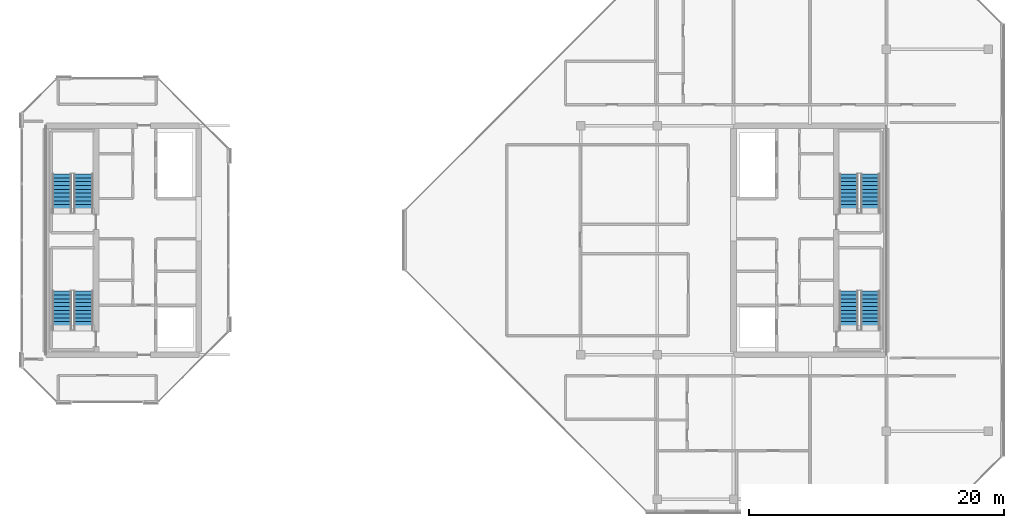
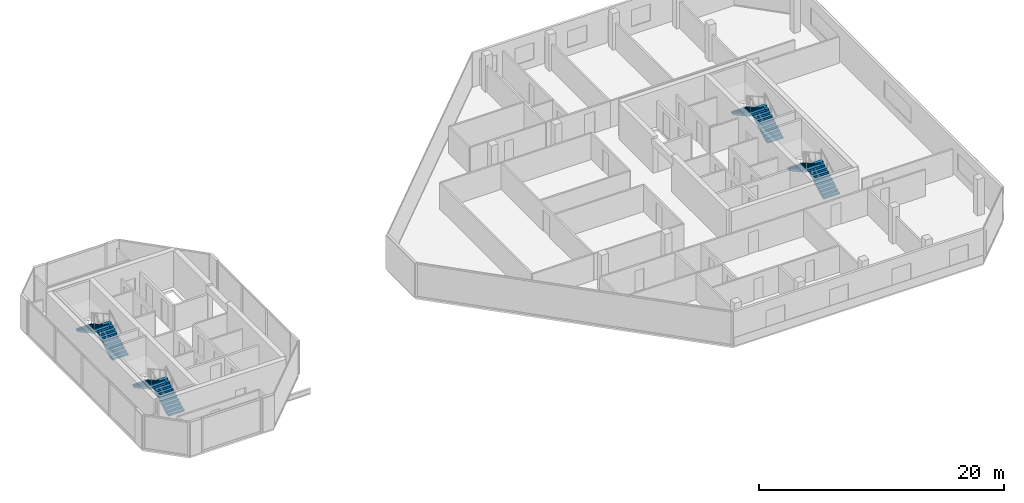
# One storey, part 25 of 28: 8 stair flights, 4 elements without a shape of their own.
"""IFC4 building model written with IfcOpenShell, lengths in metres."""

from ifc_helpers import new_model, si_unit, direction, frame, origin, place, context, subcontext, project, spatial, polyline, outline, extrude, material, type_object, element, aggregate, save


model = new_model("IFC4")

# Units and contexts
model_context = context("Model", 3, precision=1e-05, world=origin(), true_north=direction((0.0, 1.0)))
body_context = subcontext(model_context, "Body", "Model", "MODEL_VIEW")
ifc_project = project(units=[si_unit("LENGTHUNIT", "METRE"), si_unit("AREAUNIT", "SQUARE_METRE"), si_unit("VOLUMEUNIT", "CUBIC_METRE"), si_unit("PLANEANGLEUNIT", "RADIAN"), si_unit("MASSUNIT", "GRAM", prefix="KILO")], contexts=[model_context])

# Site, building, storey
site_placement = place(None, origin())
site = spatial("IfcSite", under=ifc_project, at=site_placement, CompositionType="ELEMENT")
building_placement = place(site_placement, origin())
building = spatial("IfcBuilding", under=site, at=building_placement, Name="Tanjung Sevakor Pilgrim Tower", CompositionType="ELEMENT")
storey_placement = place(building_placement, frame((0.0, 0.0, 249.81005859375)))
storey = spatial("IfcBuildingStorey", under=building, at=storey_placement, Name="L70", CompositionType="ELEMENT", Elevation=249.81005859375)

# Stair, stair flights
ifc_material_1 = material(Name="Concrete C40/50", Category="concrete")
stair_type = type_object("IfcStairType", Name="STAIR-ST-CR150", PredefinedType="HALF_TURN_STAIR", material=ifc_material_1)
stair_1_placement = place(storey_placement, origin())
stair_1 = element("IfcStair", 1, at=stair_1_placement, inside=storey, type_object=stair_type, Name="L70 West Core Exit Stair 1", PredefinedType="HALF_TURN_STAIR")
ifc_material_2 = material(Name="Concrete C40/50", Category="concrete")
stair_flight_type = type_object("IfcStairFlightType", Name="FLIGHT-ST-CR150", PredefinedType="STRAIGHT", material=ifc_material_2)
stair_flight_1_placement = place(storey_placement, frame((26.949951171875, 26.60009765625, 0.0), z_axis=(0.0, 0.0, 1.0), x_axis=(0.0, 1.0, 0.0)))
stair_flight_1 = element("IfcStairFlight", 2, at=stair_flight_1_placement, type_object=stair_flight_type, Name="TS-W1 flight 1", NumberOfRisers=11, NumberOfTreads=10, PredefinedType="STRAIGHT", RiserHeight=0.165, TreadLength=0.3, context=body_context, shape_type="SweptSolid", body=[
    extrude(outline(polyline([(0.0, 0.0), (0.0, 0.1650390625), (0.300048828125, 0.1650390625), (0.300048828125, 0.330078125), (0.60009765625, 0.330078125), (0.60009765625, 0.4951171875), (0.89990234375, 0.4951171875), (0.89990234375, 0.659912109375), (1.199951171875, 0.659912109375), (1.199951171875, 0.824951171875), (1.5, 0.824951171875), (1.5, 0.989990234375), (1.800048828125, 0.989990234375), (1.800048828125, 1.155029296875), (2.10009765625, 1.155029296875), (2.10009765625, 1.320068359375), (2.39990234375, 1.320068359375), (2.39990234375, 1.485107421875), (2.699951171875, 1.485107421875), (2.699951171875, 1.64990234375), (3.0, 1.64990234375), (3.0, 1.81494140625), (3.0, 1.467529296875), (0.331787109375, 0.0), (0.0, 0.0)])), frame((0.0, 0.75, 0.0), z_axis=(0.0, -1.0, 0.0), x_axis=(1.0, 0.0, 0.0)), (0.0, 0.0, 1.0), 1.5),
])
stair_flight_2_placement = place(storey_placement, frame((25.25, 29.60009765625, 1.81494140625), z_axis=(0.0, 0.0, 1.0), x_axis=(0.0, -1.0, 0.0)))
stair_flight_2 = element("IfcStairFlight", 3, at=stair_flight_2_placement, type_object=stair_flight_type, Name="TS-W1 flight 2", NumberOfRisers=11, NumberOfTreads=10, PredefinedType="STRAIGHT", RiserHeight=0.165, TreadLength=0.3, context=body_context, shape_type="SweptSolid", body=[
    extrude(outline(polyline([(0.0, 0.0), (0.0, 0.1650390625), (0.300048828125, 0.1650390625), (0.300048828125, 0.330078125), (0.60009765625, 0.330078125), (0.60009765625, 0.4951171875), (0.89990234375, 0.4951171875), (0.89990234375, 0.659912109375), (1.199951171875, 0.659912109375), (1.199951171875, 0.824951171875), (1.5, 0.824951171875), (1.5, 0.989990234375), (1.800048828125, 0.989990234375), (1.800048828125, 1.155029296875), (2.10009765625, 1.155029296875), (2.10009765625, 1.320068359375), (2.39990234375, 1.320068359375), (2.39990234375, 1.485107421875), (2.699951171875, 1.485107421875), (2.699951171875, 1.64990234375), (3.0, 1.64990234375), (3.0, 1.81494140625), (3.0, 1.467529296875), (0.331787109375, 0.0), (0.0, 0.0)])), frame((0.0, 0.75, 0.0), z_axis=(0.0, -1.0, 0.0), x_axis=(1.0, 0.0, 0.0)), (0.0, 0.0, 1.0), 1.5),
])
aggregate(stair_1, [stair_flight_1, stair_flight_2])

stair_2_placement = place(storey_placement, origin())
stair_2 = element("IfcStair", 4, at=stair_2_placement, inside=storey, type_object=stair_type, Name="L70 West Core Exit Stair 2", PredefinedType="HALF_TURN_STAIR")
stair_flight_3_placement = place(storey_placement, frame((26.949951171875, 35.800048828125, 0.0), z_axis=(0.0, 0.0, 1.0), x_axis=(0.0, 1.0, 0.0)))
stair_flight_3 = element("IfcStairFlight", 5, at=stair_flight_3_placement, type_object=stair_flight_type, Name="TS-W2 flight 1", NumberOfRisers=11, NumberOfTreads=10, PredefinedType="STRAIGHT", RiserHeight=0.165, TreadLength=0.3, context=body_context, shape_type="SweptSolid", body=[
    extrude(outline(polyline([(0.0, 0.0), (0.0, 0.1650390625), (0.300048828125, 0.1650390625), (0.300048828125, 0.330078125), (0.60009765625, 0.330078125), (0.60009765625, 0.4951171875), (0.89990234375, 0.4951171875), (0.89990234375, 0.659912109375), (1.199951171875, 0.659912109375), (1.199951171875, 0.824951171875), (1.5, 0.824951171875), (1.5, 0.989990234375), (1.800048828125, 0.989990234375), (1.800048828125, 1.155029296875), (2.10009765625, 1.155029296875), (2.10009765625, 1.320068359375), (2.39990234375, 1.320068359375), (2.39990234375, 1.485107421875), (2.699951171875, 1.485107421875), (2.699951171875, 1.64990234375), (3.0, 1.64990234375), (3.0, 1.81494140625), (3.0, 1.467529296875), (0.331787109375, 0.0), (0.0, 0.0)])), frame((0.0, 0.75, 0.0), z_axis=(0.0, -1.0, 0.0), x_axis=(1.0, 0.0, 0.0)), (0.0, 0.0, 1.0), 1.5),
])
stair_flight_4_placement = place(storey_placement, frame((25.25, 38.800048828125, 1.81494140625), z_axis=(0.0, 0.0, 1.0), x_axis=(0.0, -1.0, 0.0)))
stair_flight_4 = element("IfcStairFlight", 6, at=stair_flight_4_placement, type_object=stair_flight_type, Name="TS-W2 flight 2", NumberOfRisers=11, NumberOfTreads=10, PredefinedType="STRAIGHT", RiserHeight=0.165, TreadLength=0.3, context=body_context, shape_type="SweptSolid", body=[
    extrude(outline(polyline([(0.0, 0.0), (0.0, 0.1650390625), (0.300048828125, 0.1650390625), (0.300048828125, 0.330078125), (0.60009765625, 0.330078125), (0.60009765625, 0.4951171875), (0.89990234375, 0.4951171875), (0.89990234375, 0.659912109375), (1.199951171875, 0.659912109375), (1.199951171875, 0.824951171875), (1.5, 0.824951171875), (1.5, 0.989990234375), (1.800048828125, 0.989990234375), (1.800048828125, 1.155029296875), (2.10009765625, 1.155029296875), (2.10009765625, 1.320068359375), (2.39990234375, 1.320068359375), (2.39990234375, 1.485107421875), (2.699951171875, 1.485107421875), (2.699951171875, 1.64990234375), (3.0, 1.64990234375), (3.0, 1.81494140625), (3.0, 1.467529296875), (0.331787109375, 0.0), (0.0, 0.0)])), frame((0.0, 0.75, 0.0), z_axis=(0.0, -1.0, 0.0), x_axis=(1.0, 0.0, 0.0)), (0.0, 0.0, 1.0), 1.5),
])
aggregate(stair_2, [stair_flight_3, stair_flight_4])

stair_3_placement = place(storey_placement, origin())
stair_3 = element("IfcStair", 7, at=stair_3_placement, inside=storey, type_object=stair_type, Name="L70 East Core Exit Stair 1", PredefinedType="HALF_TURN_STAIR")
stair_flight_5_placement = place(storey_placement, frame((88.75, 26.60009765625, 0.0), z_axis=(0.0, 0.0, 1.0), x_axis=(0.0, 1.0, 0.0)))
stair_flight_5 = element("IfcStairFlight", 8, at=stair_flight_5_placement, type_object=stair_flight_type, Name="TS-E1 flight 1", NumberOfRisers=11, NumberOfTreads=10, PredefinedType="STRAIGHT", RiserHeight=0.165, TreadLength=0.3, context=body_context, shape_type="SweptSolid", body=[
    extrude(outline(polyline([(0.0, 0.0), (0.0, 0.1650390625), (0.300048828125, 0.1650390625), (0.300048828125, 0.330078125), (0.60009765625, 0.330078125), (0.60009765625, 0.4951171875), (0.89990234375, 0.4951171875), (0.89990234375, 0.659912109375), (1.199951171875, 0.659912109375), (1.199951171875, 0.824951171875), (1.5, 0.824951171875), (1.5, 0.989990234375), (1.800048828125, 0.989990234375), (1.800048828125, 1.155029296875), (2.10009765625, 1.155029296875), (2.10009765625, 1.320068359375), (2.39990234375, 1.320068359375), (2.39990234375, 1.485107421875), (2.699951171875, 1.485107421875), (2.699951171875, 1.64990234375), (3.0, 1.64990234375), (3.0, 1.81494140625), (3.0, 1.467529296875), (0.331787109375, 0.0), (0.0, 0.0)])), frame((0.0, 0.75, 0.0), z_axis=(0.0, -1.0, 0.0), x_axis=(1.0, 0.0, 0.0)), (0.0, 0.0, 1.0), 1.5),
])
stair_flight_6_placement = place(storey_placement, frame((87.050048828125, 29.60009765625, 1.81494140625), z_axis=(0.0, 0.0, 1.0), x_axis=(0.0, -1.0, 0.0)))
stair_flight_6 = element("IfcStairFlight", 9, at=stair_flight_6_placement, type_object=stair_flight_type, Name="TS-E1 flight 2", NumberOfRisers=11, NumberOfTreads=10, PredefinedType="STRAIGHT", RiserHeight=0.165, TreadLength=0.3, context=body_context, shape_type="SweptSolid", body=[
    extrude(outline(polyline([(0.0, 0.0), (0.0, 0.1650390625), (0.300048828125, 0.1650390625), (0.300048828125, 0.330078125), (0.60009765625, 0.330078125), (0.60009765625, 0.4951171875), (0.89990234375, 0.4951171875), (0.89990234375, 0.659912109375), (1.199951171875, 0.659912109375), (1.199951171875, 0.824951171875), (1.5, 0.824951171875), (1.5, 0.989990234375), (1.800048828125, 0.989990234375), (1.800048828125, 1.155029296875), (2.10009765625, 1.155029296875), (2.10009765625, 1.320068359375), (2.39990234375, 1.320068359375), (2.39990234375, 1.485107421875), (2.699951171875, 1.485107421875), (2.699951171875, 1.64990234375), (3.0, 1.64990234375), (3.0, 1.81494140625), (3.0, 1.467529296875), (0.331787109375, 0.0), (0.0, 0.0)])), frame((0.0, 0.75, 0.0), z_axis=(0.0, -1.0, 0.0), x_axis=(1.0, 0.0, 0.0)), (0.0, 0.0, 1.0), 1.5),
])
aggregate(stair_3, [stair_flight_5, stair_flight_6])

stair_4_placement = place(storey_placement, origin())
stair_4 = element("IfcStair", 10, at=stair_4_placement, inside=storey, type_object=stair_type, Name="L70 East Core Exit Stair 2", PredefinedType="HALF_TURN_STAIR")
stair_flight_7_placement = place(storey_placement, frame((88.75, 35.800048828125, 0.0), z_axis=(0.0, 0.0, 1.0), x_axis=(0.0, 1.0, 0.0)))
stair_flight_7 = element("IfcStairFlight", 11, at=stair_flight_7_placement, type_object=stair_flight_type, Name="TS-E2 flight 1", NumberOfRisers=11, NumberOfTreads=10, PredefinedType="STRAIGHT", RiserHeight=0.165, TreadLength=0.3, context=body_context, shape_type="SweptSolid", body=[
    extrude(outline(polyline([(0.0, 0.0), (0.0, 0.1650390625), (0.300048828125, 0.1650390625), (0.300048828125, 0.330078125), (0.60009765625, 0.330078125), (0.60009765625, 0.4951171875), (0.89990234375, 0.4951171875), (0.89990234375, 0.659912109375), (1.199951171875, 0.659912109375), (1.199951171875, 0.824951171875), (1.5, 0.824951171875), (1.5, 0.989990234375), (1.800048828125, 0.989990234375), (1.800048828125, 1.155029296875), (2.10009765625, 1.155029296875), (2.10009765625, 1.320068359375), (2.39990234375, 1.320068359375), (2.39990234375, 1.485107421875), (2.699951171875, 1.485107421875), (2.699951171875, 1.64990234375), (3.0, 1.64990234375), (3.0, 1.81494140625), (3.0, 1.467529296875), (0.331787109375, 0.0), (0.0, 0.0)])), frame((0.0, 0.75, 0.0), z_axis=(0.0, -1.0, 0.0), x_axis=(1.0, 0.0, 0.0)), (0.0, 0.0, 1.0), 1.5),
])
stair_flight_8_placement = place(storey_placement, frame((87.050048828125, 38.800048828125, 1.81494140625), z_axis=(0.0, 0.0, 1.0), x_axis=(0.0, -1.0, 0.0)))
stair_flight_8 = element("IfcStairFlight", 12, at=stair_flight_8_placement, type_object=stair_flight_type, Name="TS-E2 flight 2", NumberOfRisers=11, NumberOfTreads=10, PredefinedType="STRAIGHT", RiserHeight=0.165, TreadLength=0.3, context=body_context, shape_type="SweptSolid", body=[
    extrude(outline(polyline([(0.0, 0.0), (0.0, 0.1650390625), (0.300048828125, 0.1650390625), (0.300048828125, 0.330078125), (0.60009765625, 0.330078125), (0.60009765625, 0.4951171875), (0.89990234375, 0.4951171875), (0.89990234375, 0.659912109375), (1.199951171875, 0.659912109375), (1.199951171875, 0.824951171875), (1.5, 0.824951171875), (1.5, 0.989990234375), (1.800048828125, 0.989990234375), (1.800048828125, 1.155029296875), (2.10009765625, 1.155029296875), (2.10009765625, 1.320068359375), (2.39990234375, 1.320068359375), (2.39990234375, 1.485107421875), (2.699951171875, 1.485107421875), (2.699951171875, 1.64990234375), (3.0, 1.64990234375), (3.0, 1.81494140625), (3.0, 1.467529296875), (0.331787109375, 0.0), (0.0, 0.0)])), frame((0.0, 0.75, 0.0), z_axis=(0.0, -1.0, 0.0), x_axis=(1.0, 0.0, 0.0)), (0.0, 0.0, 1.0), 1.5),
])
aggregate(stair_4, [stair_flight_7, stair_flight_8])

save(model, "model.ifc")
